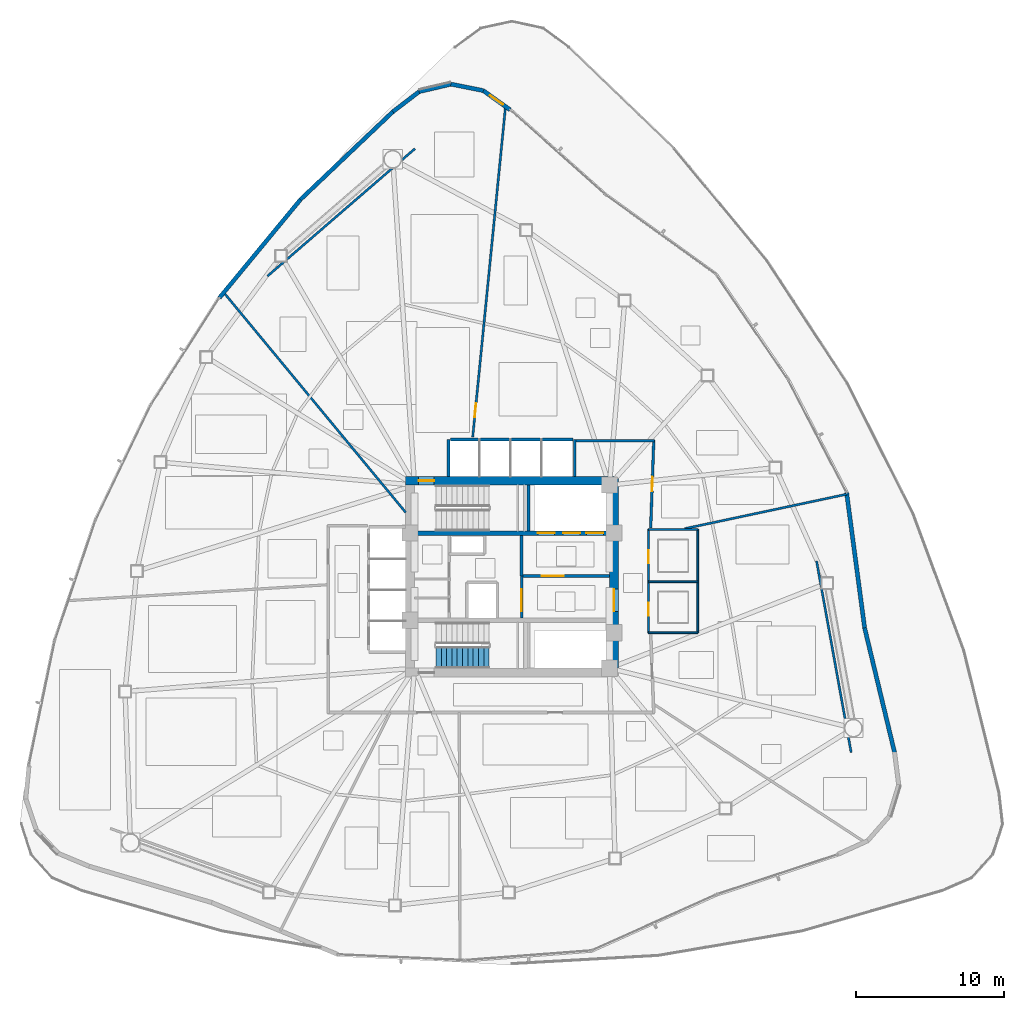
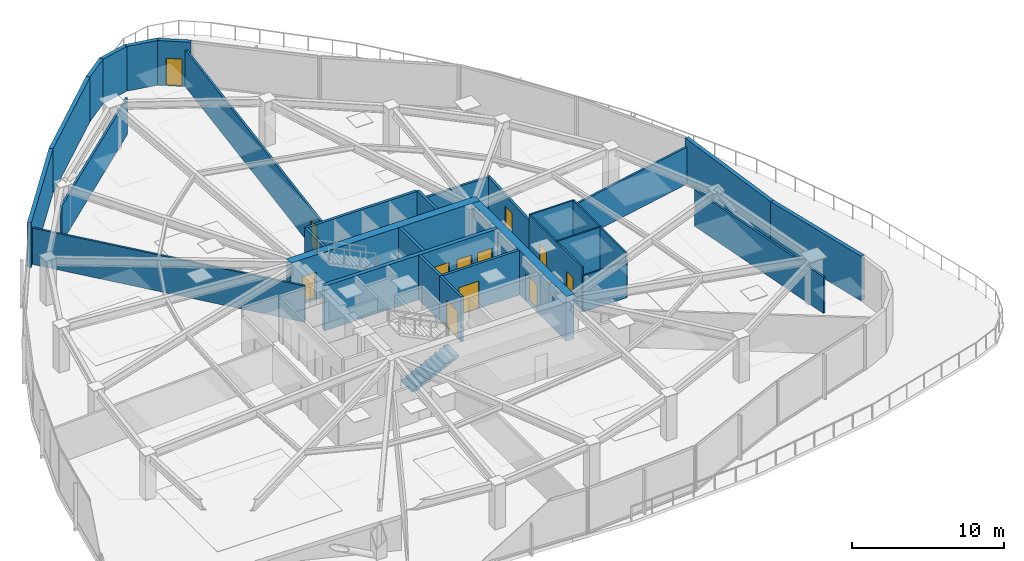
# One storey, part 12 of 19: 30 walls, 12 doors, 1 stair flight, 12 openings, 1 element without a shape of its own.
"""IFC4 building model written with IfcOpenShell, lengths in metres."""

from ifc_helpers import new_model, si_unit, direction, frame, frame_2d, origin, place, context, subcontext, project, spatial, polyline, rectangle, outline, extrude, material, layer, layer_set, type_object, element, fill, aggregate, save


model = new_model("IFC4")

# Units and contexts
model_context = context("Model", 3, precision=1e-05, world=origin(), true_north=direction((0.0, 1.0)))
body_context = subcontext(model_context, "Body", "Model", "MODEL_VIEW")
ifc_project = project(units=[si_unit("LENGTHUNIT", "METRE"), si_unit("AREAUNIT", "SQUARE_METRE"), si_unit("VOLUMEUNIT", "CUBIC_METRE"), si_unit("PLANEANGLEUNIT", "RADIAN"), si_unit("MASSUNIT", "GRAM", prefix="KILO")], contexts=[model_context])

# Site, building, storey
site_placement = place(None, origin())
site = spatial("IfcSite", under=ifc_project, at=site_placement, CompositionType="ELEMENT")
building_placement = place(site_placement, origin())
building = spatial("IfcBuilding", under=site, at=building_placement, Name="Tavelor Broadcast Tower", CompositionType="ELEMENT")
storey_placement = place(building_placement, frame((0.0, 0.0, 27.60009765625)))
storey = spatial("IfcBuildingStorey", under=building, at=storey_placement, Name="L05", CompositionType="ELEMENT", Elevation=27.60009765625)

# Wall, opening, door
ifc_material_1 = material(Name="Concrete C60/75", Category="concrete")
ifc_layer_1 = layer(ifc_material_1, 0.60009765625)
ifc_layer_set_1 = layer_set([ifc_layer_1], Name="Concrete C60/75")
wall_type_1 = type_object("IfcWallType", Name="Core Shear Wall 600 mm", PredefinedType="SHEAR", material=ifc_layer_set_1)
wall_1_placement = place(storey_placement, frame((42.800048828125, 51.5, 0.0), z_axis=(0.0, 0.0, 1.0), x_axis=(1.0, 0.0, 0.0)))
wall_1 = element("IfcWall", 1, at=wall_1_placement, inside=storey, type_object=wall_type_1, Name="L05 Central Core Shear Wall N", PredefinedType="SHEAR", context=body_context, shape_type="SweptSolid", body=[
    extrude(rectangle(XDim=14.39990234375, YDim=0.60009765625, at=frame_2d((7.199951171875, 0.0))), origin(), (0.0, 0.0, 1.0), 3.599853515625),
])
opening_1_placement = place(wall_1_placement, frame((0.8798828125, 0.0, 0.0)))
opening_1 = element("IfcOpeningElement", 2, at=opening_1_placement, cuts=wall_1, Name="Opening DR11", PredefinedType="OPENING", context=body_context, shape_type="SweptSolid", body=[
    extrude(rectangle(XDim=1.050048828125, YDim=2.199951171875, at=frame_2d((0.52490234375, 1.10009765625))), frame((0.0, 0.31005859375, 0.0), z_axis=(0.0, -1.0, 0.0), x_axis=(1.0, 0.0, 0.0)), (0.0, 0.0, 1.0), 0.6201171875),
])
ifc_material_2 = material(Name="Steel S355", Category="steel")
door_type_1 = type_object("IfcDoorType", Name="Stair Core Fire Escape Door 1050x2200", OperationType="NOTDEFINED", PredefinedType="DOOR", material=ifc_material_2)
door_1_placement = place(opening_1_placement, origin())
door_1 = element("IfcDoor", 3, at=door_1_placement, inside=storey, type_object=door_type_1, Name="L05 Stair ST1 Protected Exit Door", OperationType="SINGLE_SWING_LEFT", OverallHeight=2.199951171875, OverallWidth=1.050048828125, PredefinedType="DOOR", context=body_context, shape_type="SweptSolid", body=[
    extrude(rectangle(XDim=1.050048828125, YDim=2.199951171875, at=frame_2d((0.52490234375, 1.10009765625))), frame((0.0, 0.02490234375, 0.0), z_axis=(0.0, -1.0, 0.0), x_axis=(1.0, 0.0, 0.0)), (0.0, 0.0, 1.0), 0.050048828125),
])
fill(opening_1, door_1)

wall_2_placement = place(storey_placement, frame((56.89990234375, 38.800048828125, 0.0), z_axis=(0.0, 0.0, 1.0), x_axis=(0.0, 1.0, 0.0)))
wall_2 = element("IfcWall", 4, at=wall_2_placement, inside=storey, type_object=wall_type_1, Name="L05 Central Core Shear Wall E", PredefinedType="SHEAR", context=body_context, shape_type="SweptSolid", body=[
    extrude(rectangle(XDim=12.39990234375, YDim=0.60009765625, at=frame_2d((6.199951171875, 0.0))), origin(), (0.0, 0.0, 1.0), 3.599853515625),
])
opening_2_placement = place(wall_2_placement, frame((3.85009765625, 0.0, 0.0)))
opening_2 = element("IfcOpeningElement", 5, at=opening_2_placement, cuts=wall_2, Name="Opening DR14", PredefinedType="OPENING", context=body_context, shape_type="SweptSolid", body=[
    extrude(rectangle(XDim=1.5, YDim=2.199951171875, at=frame_2d((0.75, 1.10009765625))), frame((0.0, 0.31005859375, 0.0), z_axis=(0.0, -1.0, 0.0), x_axis=(1.0, 0.0, 0.0)), (0.0, 0.0, 1.0), 0.6201171875),
])
door_type_2 = type_object("IfcDoorType", Name="Firefighting Lobby Double Fire Door 1500x2200", OperationType="NOTDEFINED", PredefinedType="DOOR", material=ifc_material_2)
door_2_placement = place(opening_2_placement, origin())
door_2 = element("IfcDoor", 6, at=door_2_placement, inside=storey, type_object=door_type_2, Name="L05 Central Core Lobby Fire Door", OperationType="SINGLE_SWING_RIGHT", OverallHeight=2.199951171875, OverallWidth=1.5, PredefinedType="DOOR", context=body_context, shape_type="SweptSolid", body=[
    extrude(rectangle(XDim=1.5, YDim=2.199951171875, at=frame_2d((0.75, 1.10009765625))), frame((0.0, 0.02490234375, 0.0), z_axis=(0.0, -1.0, 0.0), x_axis=(1.0, 0.0, 0.0)), (0.0, 0.0, 1.0), 0.050048828125),
])
fill(opening_2, door_2)

# Wall, openings, doors
ifc_layer_2 = layer(ifc_material_1, 0.300048828125)
ifc_layer_set_2 = layer_set([ifc_layer_2], Name="Concrete C60/75")
wall_type_2 = type_object("IfcWallType", Name="Core Spine Shear Wall 300 mm C60", PredefinedType="SHEAR", material=ifc_layer_set_2)
wall_3_placement = place(storey_placement, frame((43.39990234375, 47.949951171875, 0.0), z_axis=(0.0, 0.0, 1.0), x_axis=(1.0, 0.0, 0.0)))
wall_3 = element("IfcWall", 7, at=wall_3_placement, inside=storey, type_object=wall_type_2, Name="L05 Central Core Shear Wall SP1", PredefinedType="SHEAR", context=body_context, shape_type="SweptSolid", body=[
    extrude(rectangle(XDim=13.2001953125, YDim=0.300048828125, at=frame_2d((6.60009765625, 0.0))), origin(), (0.0, 0.0, 1.0), 3.599853515625),
])
opening_3_placement = place(wall_3_placement, frame((8.344970703125, 0.0, 0.0)))
opening_3 = element("IfcOpeningElement", 8, at=opening_3_placement, cuts=wall_3, Name="Opening LD02", PredefinedType="OPENING", context=body_context, shape_type="SweptSolid", body=[
    extrude(rectangle(XDim=1.14990234375, YDim=2.199951171875, at=frame_2d((0.574951171875, 1.10009765625))), frame((0.0, 0.16015625, 0.0), z_axis=(0.0, -1.0, 0.0), x_axis=(1.0, 0.0, 0.0)), (0.0, 0.0, 1.0), 0.320068359375),
])
opening_4_placement = place(wall_3_placement, frame((10.06494140625, 0.0, 0.0)))
opening_4 = element("IfcOpeningElement", 9, at=opening_4_placement, cuts=wall_3, Name="Opening LD02", PredefinedType="OPENING", context=body_context, shape_type="SweptSolid", body=[
    extrude(rectangle(XDim=1.14990234375, YDim=2.199951171875, at=frame_2d((0.574951171875, 1.10009765625))), frame((0.0, 0.16015625, 0.0), z_axis=(0.0, -1.0, 0.0), x_axis=(1.0, 0.0, 0.0)), (0.0, 0.0, 1.0), 0.320068359375),
])
opening_5_placement = place(wall_3_placement, frame((11.64501953125, 0.0, 0.0)))
opening_5 = element("IfcOpeningElement", 10, at=opening_5_placement, cuts=wall_3, Name="Opening LD03", PredefinedType="OPENING", context=body_context, shape_type="SweptSolid", body=[
    extrude(rectangle(XDim=1.14990234375, YDim=2.199951171875, at=frame_2d((0.574951171875, 1.10009765625))), frame((0.0, 0.16015625, 0.0), z_axis=(0.0, -1.0, 0.0), x_axis=(1.0, 0.0, 0.0)), (0.0, 0.0, 1.0), 0.320068359375),
])
ifc_material_3 = material(Name="Reinforced Brushed Stainless Steel", Category="concrete")
door_type_3 = type_object("IfcDoorType", Name="Broadcast Goods Lift Sliding Landing Door 1250x2200", OperationType="NOTDEFINED", PredefinedType="DOOR", material=ifc_material_3)
door_3_placement = place(opening_5_placement, origin())
door_3 = element("IfcDoor", 11, at=door_3_placement, inside=storey, type_object=door_type_3, Name="L05 Lift SVL1 Sliding Landing Door", OperationType="SLIDING_TO_LEFT", OverallHeight=2.199951171875, OverallWidth=1.14990234375, PredefinedType="DOOR", context=body_context, shape_type="SweptSolid", body=[
    extrude(rectangle(XDim=1.14990234375, YDim=2.199951171875, at=frame_2d((0.574951171875, 1.10009765625))), frame((0.0, 0.02490234375, 0.0), z_axis=(0.0, -1.0, 0.0), x_axis=(1.0, 0.0, 0.0)), (0.0, 0.0, 1.0), 0.050048828125),
])
fill(opening_5, door_3)
ifc_material_4 = material(Name="Fire-Rated Stainless Steel", Category="steel")
door_type_4 = type_object("IfcDoorType", Name="Firefighting Lift Sliding Landing Door 1200x2200", OperationType="NOTDEFINED", PredefinedType="DOOR", material=ifc_material_4)
door_4_placement = place(opening_3_placement, origin())
door_4 = element("IfcDoor", 12, at=door_4_placement, inside=storey, type_object=door_type_4, Name="L05 Lift FFL1 Sliding Landing Door", OperationType="SLIDING_TO_LEFT", OverallHeight=2.199951171875, OverallWidth=1.14990234375, PredefinedType="DOOR", context=body_context, shape_type="SweptSolid", body=[
    extrude(rectangle(XDim=1.14990234375, YDim=2.199951171875, at=frame_2d((0.574951171875, 1.10009765625))), frame((0.0, 0.02490234375, 0.0), z_axis=(0.0, -1.0, 0.0), x_axis=(1.0, 0.0, 0.0)), (0.0, 0.0, 1.0), 0.050048828125),
])
fill(opening_3, door_4)
door_5_placement = place(opening_4_placement, origin())
door_5 = element("IfcDoor", 13, at=door_5_placement, inside=storey, type_object=door_type_4, Name="L05 Lift FFL2 Sliding Landing Door", OperationType="SLIDING_TO_LEFT", OverallHeight=2.199951171875, OverallWidth=1.14990234375, PredefinedType="DOOR", context=body_context, shape_type="SweptSolid", body=[
    extrude(rectangle(XDim=1.14990234375, YDim=2.199951171875, at=frame_2d((0.574951171875, 1.10009765625))), frame((0.0, 0.02490234375, 0.0), z_axis=(0.0, -1.0, 0.0), x_axis=(1.0, 0.0, 0.0)), (0.0, 0.0, 1.0), 0.050048828125),
])
fill(opening_4, door_5)

# Wall, opening, door
ifc_material_5 = material(Name="Calcium Silicate Fire Board 180 mm", Category="gypsum")
ifc_layer_3 = layer(ifc_material_5, 0.179931640625)
ifc_layer_set_3 = layer_set([ifc_layer_3], Name="Calcium Silicate Fire Board 180 mm")
wall_type_3 = type_object("IfcWallType", Name="Fire-Rated Corridor Partition Wall 180 mm", PredefinedType="PARTITIONING", material=ifc_layer_set_3)
wall_4_placement = place(storey_placement, frame((50.64990234375, 42.199951171875, 0.0), z_axis=(0.0, 0.0, 1.0), x_axis=(0.0, 1.0, 0.0)))
wall_4 = element("IfcWall", 14, at=wall_4_placement, inside=storey, type_object=wall_type_3, Name="L05 Core Lobby Zoning Wall", PredefinedType="PARTITIONING", context=body_context, shape_type="SweptSolid", body=[
    extrude(rectangle(XDim=2.85009765625, YDim=0.179931640625, at=frame_2d((1.425048828125, 0.0))), origin(), (0.0, 0.0, 1.0), 3.599853515625),
])
opening_6_placement = place(wall_4_placement, frame((0.449951171875, 0.0, 0.0)))
opening_6 = element("IfcOpeningElement", 15, at=opening_6_placement, cuts=wall_4, Name="Opening DR14", PredefinedType="OPENING", context=body_context, shape_type="SweptSolid", body=[
    extrude(rectangle(XDim=1.5, YDim=2.199951171875, at=frame_2d((0.75, 1.10009765625))), frame((0.0, 0.10009765625, 0.0), z_axis=(0.0, -1.0, 0.0), x_axis=(1.0, 0.0, 0.0)), (0.0, 0.0, 1.0), 0.199951171875),
])
door_6_placement = place(opening_6_placement, origin())
door_6 = element("IfcDoor", 16, at=door_6_placement, inside=storey, type_object=door_type_2, Name="L05 Core West Lobby Double Fire Door", OperationType="SINGLE_SWING_RIGHT", OverallHeight=2.199951171875, OverallWidth=1.5, PredefinedType="DOOR", context=body_context, shape_type="SweptSolid", body=[
    extrude(rectangle(XDim=1.5, YDim=2.199951171875, at=frame_2d((0.75, 1.10009765625))), frame((0.0, 0.02490234375, 0.0), z_axis=(0.0, -1.0, 0.0), x_axis=(1.0, 0.0, 0.0)), (0.0, 0.0, 1.0), 0.050048828125),
])
fill(opening_6, door_6)

# Wall
wall_5_placement = place(storey_placement, frame((54.300048828125, 54.199951171875, 0.0), z_axis=(0.0, 0.0, 1.0), x_axis=(1.0, 0.0, 0.0)))
element("IfcWall", 17, at=wall_5_placement, inside=storey, type_object=wall_type_3, Name="L05 Corridor Compartment Wall 01", PredefinedType="PARTITIONING", context=body_context, shape_type="SweptSolid", body=[
    extrude(rectangle(XDim=5.349853515625, YDim=0.179931640625, at=frame_2d((2.6748046875, 0.0))), origin(), (0.0, 0.0, 1.0), 2.9248046875),
])

# Wall, opening, door
wall_6_placement = place(storey_placement, frame((59.601806640625, 54.25, 0.0), z_axis=(0.0, 0.0, 1.0), x_axis=(-0.035265891834, -0.999377964973, 0.0)))
wall_6 = element("IfcWall", 18, at=wall_6_placement, inside=storey, type_object=wall_type_3, Name="L05 Corridor Compartment Wall 02", PredefinedType="PARTITIONING", context=body_context, shape_type="SweptSolid", body=[
    extrude(rectangle(XDim=5.95361328125, YDim=0.179931640625, at=frame_2d((2.976806640625, 0.0))), origin(), (0.0, 0.0, 1.0), 2.9248046875),
])
opening_7_placement = place(wall_6_placement, frame((2.501708984375, 0.0, 0.0)))
opening_7 = element("IfcOpeningElement", 19, at=opening_7_placement, cuts=wall_6, Name="Opening DR18", PredefinedType="OPENING", context=body_context, shape_type="SweptSolid", body=[
    extrude(rectangle(XDim=0.949951171875, YDim=2.050048828125, at=frame_2d((0.47509765625, 1.02490234375))), frame((0.0, 0.10009765625, 0.0), z_axis=(0.0, -1.0, 0.0), x_axis=(1.0, 0.0, 0.0)), (0.0, 0.0, 1.0), 0.199951171875),
])
ifc_material_6 = material(Name="Timber Solid Core Hardwood", Category="wood")
door_type_5 = type_object("IfcDoorType", Name="Corridor Rated Compartment Door 950x2050", OperationType="NOTDEFINED", PredefinedType="DOOR", material=ifc_material_6)
door_7_placement = place(opening_7_placement, origin())
door_7 = element("IfcDoor", 20, at=door_7_placement, inside=storey, type_object=door_type_5, Name="L05 Editorial Quiet Study Door R5", OperationType="SINGLE_SWING_LEFT", OverallHeight=2.050048828125, OverallWidth=0.949951171875, PredefinedType="DOOR", context=body_context, shape_type="SweptSolid", body=[
    extrude(rectangle(XDim=0.949951171875, YDim=2.050048828125, at=frame_2d((0.47509765625, 1.02490234375))), frame((0.0, 0.02490234375, 0.0), z_axis=(0.0, -1.0, 0.0), x_axis=(1.0, 0.0, 0.0)), (0.0, 0.0, 1.0), 0.050048828125),
])
fill(opening_7, door_7)

ifc_material_7 = material(Name="Precast Concrete C40/50", Category="concrete")
ifc_layer_4 = layer(ifc_material_7, 0.280029296875)
ifc_layer_set_4 = layer_set([ifc_layer_4], Name="Precast Concrete C40/50")
wall_type_4 = type_object("IfcWallType", Name="Insulated Precast Terracotta Facade Wall 280 mm", PredefinedType="STANDARD", material=ifc_layer_set_4)
wall_7_placement = place(storey_placement, frame((49.868408203125, 76.618896484375, 0.0), z_axis=(0.0, 0.0, 1.0), x_axis=(-0.81360174319, 0.581422568772, 0.0)))
wall_7 = element("IfcWall", 21, at=wall_7_placement, inside=storey, type_object=wall_type_4, Name="L05 Rounded Corner Structural Cladding Pier 01", PredefinedType="STANDARD", context=body_context, shape_type="SweptSolid", body=[
    extrude(rectangle(XDim=2.25439453125, YDim=0.280029296875, at=frame_2d((1.127197265625, 0.0))), origin(), (0.0, 0.0, 1.0), 3.599853515625),
])
opening_8_placement = place(wall_7_placement, frame((0.602294921875, 0.0, 0.0)))
opening_8 = element("IfcOpeningElement", 22, at=opening_8_placement, cuts=wall_7, Name="Opening DR52", PredefinedType="OPENING", context=body_context, shape_type="SweptSolid", body=[
    extrude(rectangle(XDim=1.050048828125, YDim=2.199951171875, at=frame_2d((0.52490234375, 1.10009765625))), frame((0.0, 0.14990234375, 0.0), z_axis=(0.0, -1.0, 0.0), x_axis=(1.0, 0.0, 0.0)), (0.0, 0.0, 1.0), 0.300048828125),
])
ifc_material_8 = material(Name="Architectural Anodized Aluminium", Category="aluminium")
door_type_6 = type_object("IfcDoorType", Name="Terrace Garden Glazed Access Door 1050x2200", OperationType="NOTDEFINED", PredefinedType="DOOR", material=ifc_material_8)
door_8_placement = place(opening_8_placement, origin())
door_8 = element("IfcDoor", 23, at=door_8_placement, inside=storey, type_object=door_type_6, Name="L05 Podium Roof Garden Glazed Access Door 1", OperationType="SINGLE_SWING_LEFT", OverallHeight=2.199951171875, OverallWidth=1.050048828125, PredefinedType="DOOR", context=body_context, shape_type="SweptSolid", body=[
    extrude(rectangle(XDim=1.050048828125, YDim=2.199951171875, at=frame_2d((0.52490234375, 1.10009765625))), frame((0.0, 0.02490234375, 0.0), z_axis=(0.0, -1.0, 0.0), x_axis=(1.0, 0.0, 0.0)), (0.0, 0.0, 1.0), 0.050048828125),
])
fill(opening_8, door_8)

# Walls
wall_8_placement = place(storey_placement, frame((48.06103515625, 77.91796875, 0.0), z_axis=(0.0, 0.0, 1.0), x_axis=(-0.980768623239, 0.195174044558, 0.0)))
element("IfcWall", 24, at=wall_8_placement, inside=storey, type_object=wall_type_4, Name="L05 Rounded Corner Structural Cladding Pier 02", PredefinedType="STANDARD", context=body_context, shape_type="SweptSolid", body=[
    extrude(rectangle(XDim=2.242919921875, YDim=0.280029296875, at=frame_2d((1.12158203125, 0.0))), origin(), (0.0, 0.0, 1.0), 3.599853515625),
])
wall_9_placement = place(storey_placement, frame((45.890625, 78.356201171875, 0.0), z_axis=(0.0, 0.0, 1.0), x_axis=(-0.974155828052, -0.225877007845, 0.0)))
element("IfcWall", 25, at=wall_9_placement, inside=storey, type_object=wall_type_4, Name="L05 Rounded Corner Structural Cladding Pier 03", PredefinedType="STANDARD", context=body_context, shape_type="SweptSolid", body=[
    extrude(rectangle(XDim=2.24267578125, YDim=0.280029296875, at=frame_2d((1.121337890625, 0.0))), origin(), (0.0, 0.0, 1.0), 3.599853515625),
])
wall_10_placement = place(storey_placement, frame((43.732421875, 77.862060546875, 0.0), z_axis=(0.0, 0.0, 1.0), x_axis=(-0.794993643274, -0.606617760335, 0.0)))
element("IfcWall", 26, at=wall_10_placement, inside=storey, type_object=wall_type_4, Name="L05 Rounded Corner Structural Cladding Pier 04", PredefinedType="STANDARD", context=body_context, shape_type="SweptSolid", body=[
    extrude(rectangle(XDim=2.265380859375, YDim=0.280029296875, at=frame_2d((1.1328125, 0.0))), origin(), (0.0, 0.0, 1.0), 3.599853515625),
])
wall_11_placement = place(storey_placement, frame((41.9541015625, 76.507080078125, 0.0), z_axis=(0.0, 0.0, 1.0), x_axis=(-0.725085945705, -0.68865838508, 0.0)))
element("IfcWall", 27, at=wall_11_placement, inside=storey, type_object=wall_type_4, Name="L05 Rounded Corner Structural Cladding Pier 05", PredefinedType="STANDARD", context=body_context, shape_type="SweptSolid", body=[
    extrude(rectangle(XDim=8.665771484375, YDim=0.280029296875, at=frame_2d((4.3330078125, 0.0))), origin(), (0.0, 0.0, 1.0), 3.599853515625),
])
wall_12_placement = place(storey_placement, frame((35.69091796875, 70.561279296875, 0.0), z_axis=(0.0, 0.0, 1.0), x_axis=(-0.636414008512, -0.771347658173, 0.0)))
element("IfcWall", 28, at=wall_12_placement, inside=storey, type_object=wall_type_4, Name="L05 Rounded Corner Structural Cladding Pier 06", PredefinedType="STANDARD", context=body_context, shape_type="SweptSolid", body=[
    extrude(rectangle(XDim=8.654052734375, YDim=0.280029296875, at=frame_2d((4.3271484375, 0.0))), origin(), (0.0, 0.0, 1.0), 3.599853515625),
])
wall_13_placement = place(storey_placement, frame((75.908935546875, 33.096435546875, 0.0), z_axis=(0.0, 0.0, 1.0), x_axis=(-0.233851528727, 0.972272319112, 0.0)))
element("IfcWall", 29, at=wall_13_placement, inside=storey, type_object=wall_type_4, Name="L05 Rounded Corner Structural Cladding Pier 25", PredefinedType="STANDARD", context=body_context, shape_type="SweptSolid", body=[
    extrude(rectangle(XDim=8.681884765625, YDim=0.280029296875, at=frame_2d((4.3408203125, 0.0))), origin(), (0.0, 0.0, 1.0), 3.599853515625),
])
wall_14_placement = place(storey_placement, frame((73.88427734375, 41.508056640625, 0.0), z_axis=(0.0, 0.0, 1.0), x_axis=(-0.132172348327, 0.991226750213, 0.0)))
element("IfcWall", 30, at=wall_14_placement, inside=storey, type_object=wall_type_4, Name="L05 Rounded Corner Structural Cladding Pier 26", PredefinedType="STANDARD", context=body_context, shape_type="SweptSolid", body=[
    extrude(rectangle(XDim=9.26708984375, YDim=0.280029296875, at=frame_2d((4.633544921875, 0.0))), origin(), (0.0, 0.0, 1.0), 3.599853515625),
])
ifc_material_9 = material(Name="Gypsum Acoustic Plasterboard 150 mm", Category="gypsum")
ifc_layer_5 = layer(ifc_material_9, 0.14990234375)
ifc_layer_set_5 = layer_set([ifc_layer_5], Name="Gypsum Acoustic Plasterboard 150 mm")
wall_type_5 = type_object("IfcWallType", Name="Interior Acoustic Partition Wall 150 mm", PredefinedType="PARTITIONING", material=ifc_layer_set_5)
wall_15_placement = place(storey_placement, frame((43.42138671875, 73.9794921875, 0.0), z_axis=(0.0, 0.0, 1.0), x_axis=(-0.756659135409, -0.653809569218, 0.0)))
element("IfcWall", 31, at=wall_15_placement, inside=storey, type_object=wall_type_5, Name="L05 Corner Tube Brace Furring Wall 1", PredefinedType="PARTITIONING", context=body_context, shape_type="SweptSolid", body=[
    extrude(rectangle(XDim=13.200439453125, YDim=0.14990234375, at=frame_2d((6.60009765625, 0.0))), origin(), (0.0, 0.0, 1.0), 2.9248046875),
])
wall_16_placement = place(storey_placement, frame((72.96923828125, 33.09130859375, 0.0), z_axis=(0.0, 0.0, 1.0), x_axis=(-0.177742578179, 0.984077017261, 0.0)))
element("IfcWall", 32, at=wall_16_placement, inside=storey, type_object=wall_type_5, Name="L05 Corner Tube Brace Furring Wall 3", PredefinedType="PARTITIONING", context=body_context, shape_type="SweptSolid", body=[
    extrude(rectangle(XDim=13.179443359375, YDim=0.14990234375, at=frame_2d((6.58984375, 0.0))), origin(), (0.0, 0.0, 1.0), 2.9248046875),
])
wall_17_placement = place(storey_placement, frame((61.68994140625, 48.25, 0.0), z_axis=(0.0, 0.0, 1.0), x_axis=(0.978145986239, 0.207919286276, 0.0)))
element("IfcWall", 33, at=wall_17_placement, inside=storey, type_object=wall_type_5, Name="L05 Radial Compartment Wall 01", PredefinedType="PARTITIONING", context=body_context, shape_type="SweptSolid", body=[
    extrude(rectangle(XDim=11.239501953125, YDim=0.14990234375, at=frame_2d((5.61962890625, 0.0))), origin(), (0.0, 0.0, 1.0), 2.974853515625),
])

# Wall, opening, door
wall_18_placement = place(storey_placement, frame((47.33837890625, 54.449951171875, 0.0), z_axis=(0.0, 0.0, 1.0), x_axis=(0.098805694286, 0.995106745418, 0.0)))
wall_18 = element("IfcWall", 34, at=wall_18_placement, inside=storey, type_object=wall_type_5, Name="L05 Radial Compartment Wall 02", PredefinedType="PARTITIONING", context=body_context, shape_type="SweptSolid", body=[
    extrude(rectangle(XDim=22.510009765625, YDim=0.14990234375, at=frame_2d((11.2548828125, 0.0))), origin(), (0.0, 0.0, 1.0), 2.974853515625),
])
opening_9_placement = place(wall_18_placement, frame((1.35009765625, 0.0, 0.0)))
opening_9 = element("IfcOpeningElement", 35, at=opening_9_placement, cuts=wall_18, Name="Opening DR18", PredefinedType="OPENING", context=body_context, shape_type="SweptSolid", body=[
    extrude(rectangle(XDim=0.949951171875, YDim=2.050048828125, at=frame_2d((0.47509765625, 1.02490234375))), frame((0.0, 0.0849609375, 0.0), z_axis=(0.0, -1.0, 0.0), x_axis=(1.0, 0.0, 0.0)), (0.0, 0.0, 1.0), 0.169921875),
])
door_9_placement = place(opening_9_placement, origin())
door_9 = element("IfcDoor", 36, at=door_9_placement, inside=storey, type_object=door_type_5, Name="L05 Suite Connecting Door 4", OperationType="SINGLE_SWING_RIGHT", OverallHeight=2.050048828125, OverallWidth=0.949951171875, PredefinedType="DOOR", context=body_context, shape_type="SweptSolid", body=[
    extrude(rectangle(XDim=0.949951171875, YDim=2.050048828125, at=frame_2d((0.47509765625, 1.02490234375))), frame((0.0, 0.02490234375, 0.0), z_axis=(0.0, -1.0, 0.0), x_axis=(1.0, 0.0, 0.0)), (0.0, 0.0, 1.0), 0.050048828125),
])
fill(opening_9, door_9)

# Walls
wall_19_placement = place(storey_placement, frame((42.800048828125, 49.351318359375, 0.0), z_axis=(0.0, 0.0, 1.0), x_axis=(-0.637468497452, 0.770476420637, 0.0)))
element("IfcWall", 37, at=wall_19_placement, inside=storey, type_object=wall_type_5, Name="L05 Radial Compartment Wall 03", PredefinedType="PARTITIONING", context=body_context, shape_type="SweptSolid", body=[
    extrude(rectangle(XDim=19.339111328125, YDim=0.14990234375, at=frame_2d((9.66943359375, 0.0))), origin(), (0.0, 0.0, 1.0), 2.9248046875),
])
ifc_material_10 = material(Name="Concrete Blockwork 200 mm", Category="masonry")
ifc_layer_6 = layer(ifc_material_10, 0.199951171875)
ifc_layer_set_6 = layer_set([ifc_layer_6], Name="Concrete Blockwork 200 mm")
wall_type_6 = type_object("IfcWallType", Name="Lift Hoistway Rated Front Wall 200 mm", PredefinedType="PARTITIONING", material=ifc_layer_set_6)
wall_20_placement = place(storey_placement, frame((45.820068359375, 54.300048828125, 0.0), z_axis=(0.0, 0.0, 1.0), x_axis=(1.0, 0.0, 0.0)))
element("IfcWall", 38, at=wall_20_placement, inside=storey, type_object=wall_type_6, Name="L05 High-Rise Lift Hoistway Front Wall", PredefinedType="PARTITIONING", context=body_context, shape_type="SweptSolid", body=[
    extrude(rectangle(XDim=8.309814453125, YDim=0.199951171875, at=frame_2d((4.15478515625, 0.0))), origin(), (0.0, 0.0, 1.0), 3.599853515625),
])
ifc_layer_7 = layer(ifc_material_10, 0.199951171875)
ifc_layer_set_7 = layer_set([ifc_layer_7], Name="Concrete Blockwork 200 mm")
wall_type_7 = type_object("IfcWallType", Name="Lift and Riser Shaft Enclosure Wall 200 mm", PredefinedType="PARTITIONING", material=ifc_layer_set_7)
for number, where, z_axis, x_axis, name in (
    (39, (45.699951171875, 51.800048828125, 0.0), (0.0, 0.0, 1.0), (0.0, 1.0, 0.0), "L05 High-Rise Lift Shaft West Wall"),
    (40, (54.25, 51.800048828125, 0.0), (0.0, 0.0, 1.0), (0.0, 1.0, 0.0), "L05 High-Rise Lift Shaft East Wall"),
):
    element("IfcWall", number, at=place(storey_placement, frame(where, z_axis=z_axis, x_axis=x_axis)), inside=storey, type_object=wall_type_7, Name=name, PredefinedType="PARTITIONING", context=body_context, shape_type="SweptSolid", body=[
        extrude(rectangle(XDim=2.5, YDim=0.199951171875, at=frame_2d((1.25, 0.0))), origin(), (0.0, 0.0, 1.0), 3.599853515625),
    ])

# Wall, opening, door
wall_21_placement = place(storey_placement, frame((50.64990234375, 45.050048828125, 0.0), z_axis=(0.0, 0.0, 1.0), x_axis=(1.0, 0.0, 0.0)))
wall_21 = element("IfcWall", 41, at=wall_21_placement, inside=storey, type_object=wall_type_7, Name="L05 Firefighting Lobby South Wall", PredefinedType="PARTITIONING", context=body_context, shape_type="SweptSolid", body=[
    extrude(rectangle(XDim=5.9501953125, YDim=0.199951171875, at=frame_2d((2.97509765625, 0.0))), origin(), (0.0, 0.0, 1.0), 3.599853515625),
])
opening_10_placement = place(wall_21_placement, frame((1.35009765625, 0.0, 0.0)))
opening_10 = element("IfcOpeningElement", 42, at=opening_10_placement, cuts=wall_21, Name="Opening DR14", PredefinedType="OPENING", context=body_context, shape_type="SweptSolid", body=[
    extrude(rectangle(XDim=1.5, YDim=2.199951171875, at=frame_2d((0.75, 1.10009765625))), frame((0.0, 0.10986328125, 0.0), z_axis=(0.0, -1.0, 0.0), x_axis=(1.0, 0.0, 0.0)), (0.0, 0.0, 1.0), 0.219970703125),
])
door_10_placement = place(opening_10_placement, origin())
door_10 = element("IfcDoor", 43, at=door_10_placement, inside=storey, type_object=door_type_2, Name="L05 Firefighting Lobby Compartment Door", OperationType="SINGLE_SWING_LEFT", OverallHeight=2.199951171875, OverallWidth=1.5, PredefinedType="DOOR", context=body_context, shape_type="SweptSolid", body=[
    extrude(rectangle(XDim=1.5, YDim=2.199951171875, at=frame_2d((0.75, 1.10009765625))), frame((0.0, 0.02490234375, 0.0), z_axis=(0.0, -1.0, 0.0), x_axis=(1.0, 0.0, 0.0)), (0.0, 0.0, 1.0), 0.050048828125),
])
fill(opening_10, door_10)

# Wall
wall_22_placement = place(storey_placement, frame((50.64990234375, 45.050048828125, 0.0), z_axis=(0.0, 0.0, 1.0), x_axis=(0.0, 1.0, 0.0)))
element("IfcWall", 44, at=wall_22_placement, inside=storey, type_object=wall_type_7, Name="L05 Firefighting Lobby West Wall", PredefinedType="PARTITIONING", context=body_context, shape_type="SweptSolid", body=[
    extrude(rectangle(XDim=2.75, YDim=0.199951171875, at=frame_2d((1.375, 0.0))), origin(), (0.0, 0.0, 1.0), 3.599853515625),
])

# Wall, openings, doors
ifc_material_11 = material(Name="Moisture-Resistant Plasterboard 120 mm", Category="gypsum")
ifc_layer_8 = layer(ifc_material_11, 0.1201171875)
ifc_layer_set_8 = layer_set([ifc_layer_8], Name="Moisture-Resistant Plasterboard 120 mm")
wall_type_8 = type_object("IfcWallType", Name="Moisture-Resistant Wet-Room Partition 120 mm", PredefinedType="PARTITIONING", material=ifc_layer_set_8)
wall_23_placement = place(storey_placement, frame((59.239990234375, 41.199951171875, 0.0), z_axis=(0.0, 0.0, 1.0), x_axis=(0.0, 1.0, 0.0)))
wall_23 = element("IfcWall", 45, at=wall_23_placement, inside=storey, type_object=wall_type_8, Name="L05 Floor Washrooms West Wall", PredefinedType="PARTITIONING", context=body_context, shape_type="SweptSolid", body=[
    extrude(rectangle(XDim=7.0, YDim=0.1201171875, at=frame_2d((3.5, 0.0))), origin(), (0.0, 0.0, 1.0), 3.599853515625),
])
opening_11_placement = place(wall_23_placement, frame((1.14990234375, 0.0, 0.0)))
opening_11 = element("IfcOpeningElement", 46, at=opening_11_placement, cuts=wall_23, Name="Opening DR32", PredefinedType="OPENING", context=body_context, shape_type="SweptSolid", body=[
    extrude(rectangle(XDim=0.89990234375, YDim=2.050048828125, at=frame_2d((0.449951171875, 1.02490234375))), frame((0.0, 0.070068359375, 0.0), z_axis=(0.0, -1.0, 0.0), x_axis=(1.0, 0.0, 0.0)), (0.0, 0.0, 1.0), 0.14013671875),
])
opening_12_placement = place(wall_23_placement, frame((4.699951171875, 0.0, 0.0)))
opening_12 = element("IfcOpeningElement", 47, at=opening_12_placement, cuts=wall_23, Name="Opening DR32", PredefinedType="OPENING", context=body_context, shape_type="SweptSolid", body=[
    extrude(rectangle(XDim=0.89990234375, YDim=2.050048828125, at=frame_2d((0.449951171875, 1.02490234375))), frame((0.0, 0.070068359375, 0.0), z_axis=(0.0, -1.0, 0.0), x_axis=(1.0, 0.0, 0.0)), (0.0, 0.0, 1.0), 0.14013671875),
])
door_type_7 = type_object("IfcDoorType", Name="Accessible Washroom Door 900x2050", OperationType="NOTDEFINED", PredefinedType="DOOR", material=ifc_material_6)
door_11_placement = place(opening_11_placement, origin())
door_11 = element("IfcDoor", 48, at=door_11_placement, inside=storey, type_object=door_type_7, Name="L05 Accessible WC Door", OperationType="SINGLE_SWING_LEFT", OverallHeight=2.050048828125, OverallWidth=0.89990234375, PredefinedType="DOOR", context=body_context, shape_type="SweptSolid", body=[
    extrude(rectangle(XDim=0.89990234375, YDim=2.050048828125, at=frame_2d((0.449951171875, 1.02490234375))), frame((0.0, 0.02490234375, 0.0), z_axis=(0.0, -1.0, 0.0), x_axis=(1.0, 0.0, 0.0)), (0.0, 0.0, 1.0), 0.050048828125),
])
fill(opening_11, door_11)
door_12_placement = place(opening_12_placement, origin())
door_12 = element("IfcDoor", 49, at=door_12_placement, inside=storey, type_object=door_type_7, Name="L05 Staff Washroom WC Door", OperationType="SINGLE_SWING_RIGHT", OverallHeight=2.050048828125, OverallWidth=0.89990234375, PredefinedType="DOOR", context=body_context, shape_type="SweptSolid", body=[
    extrude(rectangle(XDim=0.89990234375, YDim=2.050048828125, at=frame_2d((0.449951171875, 1.02490234375))), frame((0.0, 0.02490234375, 0.0), z_axis=(0.0, -1.0, 0.0), x_axis=(1.0, 0.0, 0.0)), (0.0, 0.0, 1.0), 0.050048828125),
])
fill(opening_12, door_12)

# Walls
wall_24_placement = place(storey_placement, frame((59.239990234375, 41.199951171875, 0.0), z_axis=(0.0, 0.0, 1.0), x_axis=(1.0, 0.0, 0.0)))
element("IfcWall", 50, at=wall_24_placement, inside=storey, type_object=wall_type_8, Name="L05 Floor Washrooms South Wall", PredefinedType="PARTITIONING", context=body_context, shape_type="SweptSolid", body=[
    extrude(rectangle(XDim=3.340087890625, YDim=0.1201171875, at=frame_2d((1.669921875, 0.0))), origin(), (0.0, 0.0, 1.0), 2.9248046875),
])
for number, where, z_axis, x_axis, name in (
    (51, (59.239990234375, 44.64990234375, 0.0), (0.0, 0.0, 1.0), (1.0, 0.0, 0.0), "L05 Floor Washrooms Divider Wall"),
    (52, (59.239990234375, 48.199951171875, 0.0), (0.0, 0.0, 1.0), (1.0, 0.0, 0.0), "L05 Floor Washrooms North Wall"),
):
    element("IfcWall", number, at=place(storey_placement, frame(where, z_axis=z_axis, x_axis=x_axis)), inside=storey, type_object=wall_type_8, Name=name, PredefinedType="PARTITIONING", context=body_context, shape_type="SweptSolid", body=[
        extrude(rectangle(XDim=3.340087890625, YDim=0.1201171875, at=frame_2d((1.669921875, 0.0))), origin(), (0.0, 0.0, 1.0), 3.599853515625),
    ])
wall_25_placement = place(storey_placement, frame((62.580078125, 41.199951171875, 0.0), z_axis=(0.0, 0.0, 1.0), x_axis=(0.0, 1.0, 0.0)))
element("IfcWall", 53, at=wall_25_placement, inside=storey, type_object=wall_type_8, Name="L05 Floor Washrooms East Wall", PredefinedType="PARTITIONING", context=body_context, shape_type="SweptSolid", body=[
    extrude(rectangle(XDim=7.0, YDim=0.1201171875, at=frame_2d((3.5, 0.0))), origin(), (0.0, 0.0, 1.0), 3.599853515625),
])
ifc_material_12 = material(Name="Concrete C40/50", Category="concrete")
ifc_layer_9 = layer(ifc_material_12, 0.219970703125)
ifc_layer_set_9 = layer_set([ifc_layer_9], Name="Concrete C40/50")
wall_type_9 = type_object("IfcWallType", Name="Structural Stairwell Shear Wall 220 mm", PredefinedType="SHEAR", material=ifc_layer_set_9)
wall_26_placement = place(storey_placement, frame((51.110107421875, 48.10009765625, 0.0), z_axis=(0.0, 0.0, 1.0), x_axis=(0.0, 1.0, 0.0)))
element("IfcWall", 54, at=wall_26_placement, inside=storey, type_object=wall_type_9, Name="L05 Stair ST1 Structural Shaft Wall", PredefinedType="SHEAR", context=body_context, shape_type="SweptSolid", body=[
    extrude(rectangle(XDim=3.099853515625, YDim=0.219970703125, at=frame_2d((1.5498046875, 0.0))), origin(), (0.0, 0.0, 1.0), 3.599853515625),
])

# Stair, stair flight
stair_type = type_object("IfcStairType", Name="Reinforced Concrete Protected Dogleg Stair 1450 mm", PredefinedType="HALF_TURN_STAIR", material=ifc_material_12)
stair_placement = place(storey_placement, origin())
stair = element("IfcStair", 55, at=stair_placement, inside=storey, type_object=stair_type, Name="L05 Protected Core Exit Stair ST2", PredefinedType="HALF_TURN_STAIR")
stair_flight_type = type_object("IfcStairFlightType", Name="Reinforced Concrete Stair Flight 1450 mm", PredefinedType="STRAIGHT", material=ifc_material_12)
stair_flight_placement = place(storey_placement, frame((44.85009765625, 39.52490234375, 0.0), z_axis=(0.0, 0.0, 1.0), x_axis=(1.0, 0.0, 0.0)))
stair_flight = element("IfcStairFlight", 56, at=stair_flight_placement, type_object=stair_flight_type, Name="ST2 flight 1", NumberOfRisers=11, NumberOfTreads=10, PredefinedType="STRAIGHT", RiserHeight=0.177272727, TreadLength=0.36, context=body_context, shape_type="SweptSolid", body=[
    extrude(outline(polyline([(0.0, 0.0), (0.0, 0.17724609375), (0.360107421875, 0.17724609375), (0.360107421875, 0.3544921875), (0.719970703125, 0.3544921875), (0.719970703125, 0.53173828125), (1.080078125, 0.53173828125), (1.080078125, 0.708984375), (1.43994140625, 0.708984375), (1.43994140625, 0.886474609375), (1.800048828125, 0.886474609375), (1.800048828125, 1.063720703125), (2.159912109375, 1.063720703125), (2.159912109375, 1.240966796875), (2.52001953125, 1.240966796875), (2.52001953125, 1.418212890625), (2.8798828125, 1.418212890625), (2.8798828125, 1.595458984375), (3.239990234375, 1.595458984375), (3.239990234375, 1.772705078125), (3.60009765625, 1.772705078125), (3.60009765625, 1.949951171875), (3.60009765625, 1.605712890625), (0.33935546875, 0.0), (0.0, 0.0)])), frame((0.0, 0.72509765625, 0.0), z_axis=(0.0, -1.0, 0.0), x_axis=(1.0, 0.0, 0.0)), (0.0, 0.0, 1.0), 1.449951171875),
])
aggregate(stair, [stair_flight])

save(model, "model.ifc")
